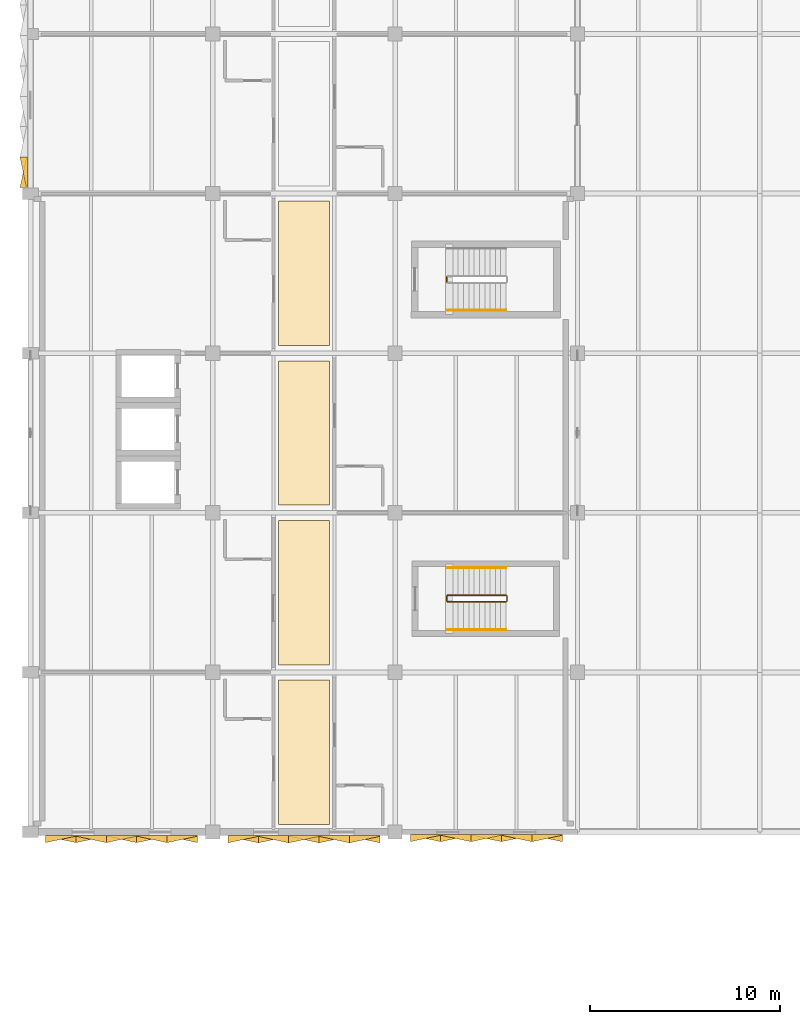
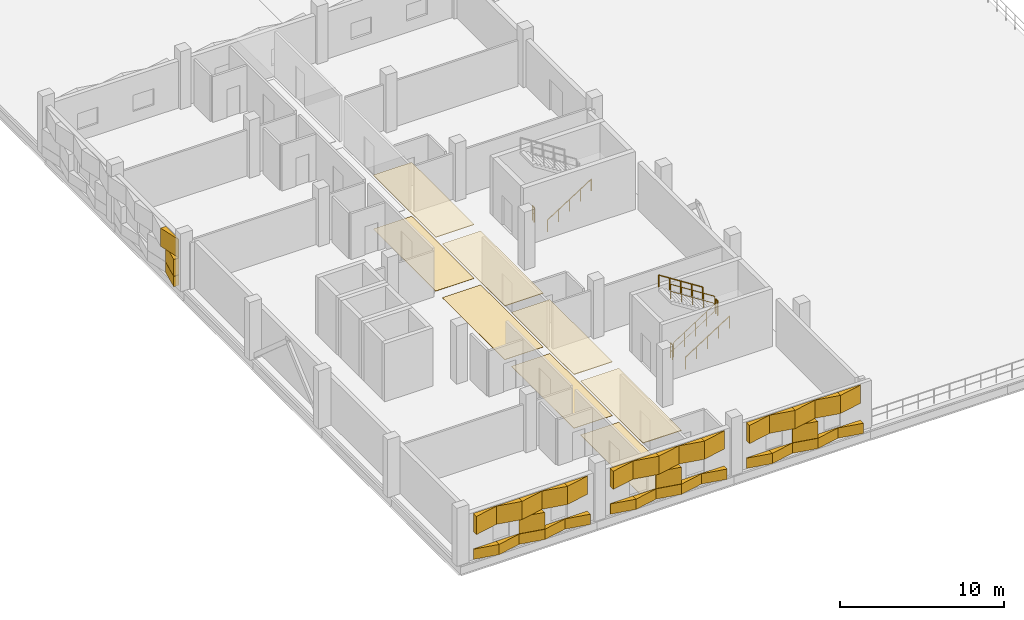
# One storey, part 69 of 86: 44 coverings, 8 railings.
"""IFC4 building model written with IfcOpenShell, lengths in metres."""

from ifc_helpers import new_model, si_unit, direction, frame, origin, origin_2d, place, context, subcontext, project, spatial, polyline, circle, outline, extrude, material, layer, layer_set, type_object, element, save


model = new_model("IFC4")

# Units and contexts
model_context = context("Model", 3, precision=1e-05, world=origin(), true_north=direction((0.0, 1.0)))
body_context = subcontext(model_context, "Body", "Model", "MODEL_VIEW")
ifc_project = project(units=[si_unit("LENGTHUNIT", "METRE"), si_unit("AREAUNIT", "SQUARE_METRE"), si_unit("VOLUMEUNIT", "CUBIC_METRE"), si_unit("PLANEANGLEUNIT", "RADIAN"), si_unit("MASSUNIT", "GRAM", prefix="KILO")], contexts=[model_context])

# Site, building, storey
site_placement = place(None, origin())
site = spatial("IfcSite", under=ifc_project, at=site_placement, CompositionType="ELEMENT")
building_placement = place(site_placement, origin())
building = spatial("IfcBuilding", under=site, at=building_placement, Name="Oolite Switchyard Hospital", CompositionType="ELEMENT")
storey_placement = place(building_placement, frame((0.0, 0.0, 13.5)))
storey = spatial("IfcBuildingStorey", under=building, at=storey_placement, Name="L03", CompositionType="ELEMENT", Elevation=13.5)

# Coverings
ifc_material_1 = material(Name="Hygienic washable mineral-fibre acoustic ceiling")
ifc_layer_1 = layer(ifc_material_1, 0.0400390625)
ifc_layer_set_1 = layer_set([ifc_layer_1], Name="COV-CEIL-AC60")
covering_type_1 = type_object("IfcCoveringType", Name="COV-CEIL-AC60", PredefinedType="CEILING", material=ifc_layer_set_1)
covering_1_placement = place(storey_placement, frame((0.0, 0.0, 3.985107421875)))
element("IfcCovering", 1, at=covering_1_placement, inside=storey, type_object=covering_type_1, Name="L03 West Acute Medical Ward Corridor Ceiling 1", PredefinedType="CEILING", context=body_context, shape_type="SweptSolid", body=[
    extrude(outline(polyline([(13.050048828125, 34.0), (15.75, 34.0), (15.75, 41.60009765625), (13.050048828125, 41.60009765625), (13.050048828125, 34.0)])), origin(), (0.0, 0.0, 1.0), 0.039794921875),
])
covering_2_placement = place(storey_placement, frame((0.0, 0.0, 3.985107421875)))
element("IfcCovering", 2, at=covering_2_placement, inside=storey, type_object=covering_type_1, Name="L03 West Acute Medical Ward Corridor Ceiling 2", PredefinedType="CEILING", context=body_context, shape_type="SweptSolid", body=[
    extrude(outline(polyline([(13.050048828125, 42.39990234375), (15.75, 42.39990234375), (15.75, 50.0), (13.050048828125, 50.0), (13.050048828125, 42.39990234375)])), origin(), (0.0, 0.0, 1.0), 0.039794921875),
])
covering_3_placement = place(storey_placement, frame((0.0, 0.0, 3.985107421875)))
element("IfcCovering", 3, at=covering_3_placement, inside=storey, type_object=covering_type_1, Name="L03 West Acute Medical Ward Corridor Ceiling 3", PredefinedType="CEILING", context=body_context, shape_type="SweptSolid", body=[
    extrude(outline(polyline([(13.050048828125, 50.800048828125), (15.75, 50.800048828125), (15.75, 58.39990234375), (13.050048828125, 58.39990234375), (13.050048828125, 50.800048828125)])), origin(), (0.0, 0.0, 1.0), 0.039794921875),
])
covering_4_placement = place(storey_placement, frame((0.0, 0.0, 3.985107421875)))
element("IfcCovering", 4, at=covering_4_placement, inside=storey, type_object=covering_type_1, Name="L03 West Acute Medical Ward Corridor Ceiling 4", PredefinedType="CEILING", context=body_context, shape_type="SweptSolid", body=[
    extrude(outline(polyline([(13.050048828125, 59.199951171875), (15.75, 59.199951171875), (15.75, 66.800048828125), (13.050048828125, 66.800048828125), (13.050048828125, 59.199951171875)])), origin(), (0.0, 0.0, 1.0), 0.039794921875),
])
ifc_material_2 = material(Name="Precast oolitic limestone architectural concrete C40/50", Category="masonry")
covering_type_2 = type_object("IfcCoveringType", Name="COV-CHEV-WARM", PredefinedType="CLADDING", material=ifc_material_2)
covering_5_placement = place(storey_placement, frame((8.800048828125, 33.419921875, 0.050048828125), z_axis=(0.0, 0.0, 1.0), x_axis=(-1.0, 0.0, 0.0)))
element("IfcCovering", 5, at=covering_5_placement, inside=storey, type_object=covering_type_2, Name="L03 Chevron Precast Oolite Panel 1", PredefinedType="CLADDING", context=body_context, shape_type="SweptSolid", body=[
    extrude(outline(polyline([(0.0, 0.0), (1.60009765625, 0.0), (1.60009765625, 0.044921875), (0.0, 0.385009765625), (0.0, 0.0)])), origin(), (0.0, 0.0, 1.0), 0.760009765625),
])
covering_6_placement = place(storey_placement, frame((8.800048828125, 33.419921875, 2.090087890625), z_axis=(0.0, 0.0, 1.0), x_axis=(-1.0, 0.0, 0.0)))
element("IfcCovering", 6, at=covering_6_placement, inside=storey, type_object=covering_type_2, Name="L03 Chevron Precast Oolite Panel 2", PredefinedType="CLADDING", context=body_context, shape_type="SweptSolid", body=[
    extrude(outline(polyline([(0.0, 0.0), (1.60009765625, 0.0), (1.60009765625, 0.385009765625), (0.0, 0.044921875), (0.0, 0.0)])), origin(), (0.0, 0.0, 1.0), 1.349853515625),
])
covering_7_placement = place(storey_placement, frame((7.199951171875, 33.419921875, 0.050048828125), z_axis=(0.0, 0.0, 1.0), x_axis=(-1.0, 0.0, 0.0)))
element("IfcCovering", 7, at=covering_7_placement, inside=storey, type_object=covering_type_2, Name="L03 Chevron Precast Oolite Panel 3", PredefinedType="CLADDING", context=body_context, shape_type="SweptSolid", body=[
    extrude(outline(polyline([(0.0, 0.0), (1.599853515625, 0.0), (1.599853515625, 0.385009765625), (0.0, 0.044921875), (0.0, 0.0)])), origin(), (0.0, 0.0, 1.0), 0.760009765625),
])
covering_8_placement = place(storey_placement, frame((7.199951171875, 33.419921875, 2.090087890625), z_axis=(0.0, 0.0, 1.0), x_axis=(-1.0, 0.0, 0.0)))
element("IfcCovering", 8, at=covering_8_placement, inside=storey, type_object=covering_type_2, Name="L03 Chevron Precast Oolite Panel 4", PredefinedType="CLADDING", context=body_context, shape_type="SweptSolid", body=[
    extrude(outline(polyline([(0.0, 0.0), (1.599853515625, 0.0), (1.599853515625, 0.044921875), (0.0, 0.385009765625), (0.0, 0.0)])), origin(), (0.0, 0.0, 1.0), 1.349853515625),
])
covering_9_placement = place(storey_placement, frame((5.60009765625, 33.419921875, 0.050048828125), z_axis=(0.0, 0.0, 1.0), x_axis=(-1.0, 0.0, 0.0)))
element("IfcCovering", 9, at=covering_9_placement, inside=storey, type_object=covering_type_2, Name="L03 Chevron Precast Oolite Panel 5", PredefinedType="CLADDING", context=body_context, shape_type="SweptSolid", body=[
    extrude(outline(polyline([(0.0, 0.0), (1.60009765625, 0.0), (1.60009765625, 0.044921875), (0.0, 0.385009765625), (0.0, 0.0)])), origin(), (0.0, 0.0, 1.0), 0.760009765625),
])
covering_10_placement = place(storey_placement, frame((5.60009765625, 33.419921875, 2.090087890625), z_axis=(0.0, 0.0, 1.0), x_axis=(-1.0, 0.0, 0.0)))
element("IfcCovering", 10, at=covering_10_placement, inside=storey, type_object=covering_type_2, Name="L03 Chevron Precast Oolite Panel 6", PredefinedType="CLADDING", context=body_context, shape_type="SweptSolid", body=[
    extrude(outline(polyline([(0.0, 0.0), (1.60009765625, 0.0), (1.60009765625, 0.385009765625), (0.0, 0.044921875), (0.0, 0.0)])), origin(), (0.0, 0.0, 1.0), 1.349853515625),
])
covering_11_placement = place(storey_placement, frame((5.60009765625, 33.419921875, 0.830078125), z_axis=(0.0, 0.0, 1.0), x_axis=(-1.0, 0.0, 0.0)))
element("IfcCovering", 11, at=covering_11_placement, inside=storey, type_object=covering_type_2, Name="L03 Chevron Precast Oolite Panel 7", PredefinedType="CLADDING", context=body_context, shape_type="SweptSolid", body=[
    extrude(outline(polyline([(0.0, 0.0), (1.60009765625, 0.0), (1.60009765625, 0.044921875), (0.0, 0.385009765625), (0.0, 0.0)])), origin(), (0.0, 0.0, 1.0), 1.239990234375),
])
covering_12_placement = place(storey_placement, frame((4.0, 33.419921875, 0.050048828125), z_axis=(0.0, 0.0, 1.0), x_axis=(-1.0, 0.0, 0.0)))
element("IfcCovering", 12, at=covering_12_placement, inside=storey, type_object=covering_type_2, Name="L03 Chevron Precast Oolite Panel 8", PredefinedType="CLADDING", context=body_context, shape_type="SweptSolid", body=[
    extrude(outline(polyline([(0.0, 0.0), (1.60009765625, 0.0), (1.60009765625, 0.385009765625), (0.0, 0.044921875), (0.0, 0.0)])), origin(), (0.0, 0.0, 1.0), 0.760009765625),
])
covering_13_placement = place(storey_placement, frame((4.0, 33.419921875, 2.090087890625), z_axis=(0.0, 0.0, 1.0), x_axis=(-1.0, 0.0, 0.0)))
element("IfcCovering", 13, at=covering_13_placement, inside=storey, type_object=covering_type_2, Name="L03 Chevron Precast Oolite Panel 9", PredefinedType="CLADDING", context=body_context, shape_type="SweptSolid", body=[
    extrude(outline(polyline([(0.0, 0.0), (1.60009765625, 0.0), (1.60009765625, 0.044921875), (0.0, 0.385009765625), (0.0, 0.0)])), origin(), (0.0, 0.0, 1.0), 1.349853515625),
])
covering_14_placement = place(storey_placement, frame((2.39990234375, 33.419921875, 0.050048828125), z_axis=(0.0, 0.0, 1.0), x_axis=(-1.0, 0.0, 0.0)))
element("IfcCovering", 14, at=covering_14_placement, inside=storey, type_object=covering_type_2, Name="L03 Chevron Precast Oolite Panel 10", PredefinedType="CLADDING", context=body_context, shape_type="SweptSolid", body=[
    extrude(outline(polyline([(0.0, 0.0), (1.599853515625, 0.0), (1.599853515625, 0.044921875), (0.0, 0.385009765625), (0.0, 0.0)])), origin(), (0.0, 0.0, 1.0), 0.760009765625),
])
covering_15_placement = place(storey_placement, frame((2.39990234375, 33.419921875, 2.090087890625), z_axis=(0.0, 0.0, 1.0), x_axis=(-1.0, 0.0, 0.0)))
element("IfcCovering", 15, at=covering_15_placement, inside=storey, type_object=covering_type_2, Name="L03 Chevron Precast Oolite Panel 11", PredefinedType="CLADDING", context=body_context, shape_type="SweptSolid", body=[
    extrude(outline(polyline([(0.0, 0.0), (1.599853515625, 0.0), (1.599853515625, 0.385009765625), (0.0, 0.044921875), (0.0, 0.0)])), origin(), (0.0, 0.0, 1.0), 1.349853515625),
])
covering_16_placement = place(storey_placement, frame((18.39990234375, 33.409912109375, 0.050048828125), z_axis=(0.0, 0.0, 1.0), x_axis=(-1.0, 0.0, 0.0)))
element("IfcCovering", 16, at=covering_16_placement, inside=storey, type_object=covering_type_2, Name="L03 Chevron Precast Oolite Panel 12", PredefinedType="CLADDING", context=body_context, shape_type="SweptSolid", body=[
    extrude(outline(polyline([(0.0, 0.0), (1.599853515625, 0.0), (1.599853515625, 0.044921875), (0.0, 0.385009765625), (0.0, 0.0)])), origin(), (0.0, 0.0, 1.0), 0.760009765625),
])
covering_17_placement = place(storey_placement, frame((18.39990234375, 33.409912109375, 2.090087890625), z_axis=(0.0, 0.0, 1.0), x_axis=(-1.0, 0.0, 0.0)))
element("IfcCovering", 17, at=covering_17_placement, inside=storey, type_object=covering_type_2, Name="L03 Chevron Precast Oolite Panel 13", PredefinedType="CLADDING", context=body_context, shape_type="SweptSolid", body=[
    extrude(outline(polyline([(0.0, 0.0), (1.599853515625, 0.0), (1.599853515625, 0.385009765625), (0.0, 0.044921875), (0.0, 0.0)])), origin(), (0.0, 0.0, 1.0), 1.349853515625),
])
covering_18_placement = place(storey_placement, frame((16.800048828125, 33.409912109375, 0.050048828125), z_axis=(0.0, 0.0, 1.0), x_axis=(-1.0, 0.0, 0.0)))
element("IfcCovering", 18, at=covering_18_placement, inside=storey, type_object=covering_type_2, Name="L03 Chevron Precast Oolite Panel 14", PredefinedType="CLADDING", context=body_context, shape_type="SweptSolid", body=[
    extrude(outline(polyline([(0.0, 0.0), (1.60009765625, 0.0), (1.60009765625, 0.385009765625), (0.0, 0.044921875), (0.0, 0.0)])), origin(), (0.0, 0.0, 1.0), 0.760009765625),
])
covering_19_placement = place(storey_placement, frame((16.800048828125, 33.409912109375, 2.090087890625), z_axis=(0.0, 0.0, 1.0), x_axis=(-1.0, 0.0, 0.0)))
element("IfcCovering", 19, at=covering_19_placement, inside=storey, type_object=covering_type_2, Name="L03 Chevron Precast Oolite Panel 15", PredefinedType="CLADDING", context=body_context, shape_type="SweptSolid", body=[
    extrude(outline(polyline([(0.0, 0.0), (1.60009765625, 0.0), (1.60009765625, 0.044921875), (0.0, 0.385009765625), (0.0, 0.0)])), origin(), (0.0, 0.0, 1.0), 1.349853515625),
])
covering_20_placement = place(storey_placement, frame((15.199951171875, 33.409912109375, 0.050048828125), z_axis=(0.0, 0.0, 1.0), x_axis=(-1.0, 0.0, 0.0)))
element("IfcCovering", 20, at=covering_20_placement, inside=storey, type_object=covering_type_2, Name="L03 Chevron Precast Oolite Panel 16", PredefinedType="CLADDING", context=body_context, shape_type="SweptSolid", body=[
    extrude(outline(polyline([(0.0, 0.0), (1.599853515625, 0.0), (1.599853515625, 0.044921875), (0.0, 0.385009765625), (0.0, 0.0)])), origin(), (0.0, 0.0, 1.0), 0.760009765625),
])
covering_21_placement = place(storey_placement, frame((15.199951171875, 33.409912109375, 2.090087890625), z_axis=(0.0, 0.0, 1.0), x_axis=(-1.0, 0.0, 0.0)))
element("IfcCovering", 21, at=covering_21_placement, inside=storey, type_object=covering_type_2, Name="L03 Chevron Precast Oolite Panel 17", PredefinedType="CLADDING", context=body_context, shape_type="SweptSolid", body=[
    extrude(outline(polyline([(0.0, 0.0), (1.599853515625, 0.0), (1.599853515625, 0.385009765625), (0.0, 0.044921875), (0.0, 0.0)])), origin(), (0.0, 0.0, 1.0), 1.349853515625),
])
covering_22_placement = place(storey_placement, frame((15.199951171875, 33.409912109375, 0.830078125), z_axis=(0.0, 0.0, 1.0), x_axis=(-1.0, 0.0, 0.0)))
element("IfcCovering", 22, at=covering_22_placement, inside=storey, type_object=covering_type_2, Name="L03 Chevron Precast Oolite Panel 18", PredefinedType="CLADDING", context=body_context, shape_type="SweptSolid", body=[
    extrude(outline(polyline([(0.0, 0.0), (1.599853515625, 0.0), (1.599853515625, 0.044921875), (0.0, 0.385009765625), (0.0, 0.0)])), origin(), (0.0, 0.0, 1.0), 1.239990234375),
])
covering_23_placement = place(storey_placement, frame((13.60009765625, 33.409912109375, 0.050048828125), z_axis=(0.0, 0.0, 1.0), x_axis=(-1.0, 0.0, 0.0)))
element("IfcCovering", 23, at=covering_23_placement, inside=storey, type_object=covering_type_2, Name="L03 Chevron Precast Oolite Panel 19", PredefinedType="CLADDING", context=body_context, shape_type="SweptSolid", body=[
    extrude(outline(polyline([(0.0, 0.0), (1.60009765625, 0.0), (1.60009765625, 0.385009765625), (0.0, 0.044921875), (0.0, 0.0)])), origin(), (0.0, 0.0, 1.0), 0.760009765625),
])
covering_24_placement = place(storey_placement, frame((13.60009765625, 33.409912109375, 2.090087890625), z_axis=(0.0, 0.0, 1.0), x_axis=(-1.0, 0.0, 0.0)))
element("IfcCovering", 24, at=covering_24_placement, inside=storey, type_object=covering_type_2, Name="L03 Chevron Precast Oolite Panel 20", PredefinedType="CLADDING", context=body_context, shape_type="SweptSolid", body=[
    extrude(outline(polyline([(0.0, 0.0), (1.60009765625, 0.0), (1.60009765625, 0.044921875), (0.0, 0.385009765625), (0.0, 0.0)])), origin(), (0.0, 0.0, 1.0), 1.349853515625),
])
covering_25_placement = place(storey_placement, frame((12.0, 33.409912109375, 0.050048828125), z_axis=(0.0, 0.0, 1.0), x_axis=(-1.0, 0.0, 0.0)))
element("IfcCovering", 25, at=covering_25_placement, inside=storey, type_object=covering_type_2, Name="L03 Chevron Precast Oolite Panel 21", PredefinedType="CLADDING", context=body_context, shape_type="SweptSolid", body=[
    extrude(outline(polyline([(0.0, 0.0), (1.60009765625, 0.0), (1.60009765625, 0.044921875), (0.0, 0.385009765625), (0.0, 0.0)])), origin(), (0.0, 0.0, 1.0), 0.760009765625),
])
covering_26_placement = place(storey_placement, frame((12.0, 33.409912109375, 2.090087890625), z_axis=(0.0, 0.0, 1.0), x_axis=(-1.0, 0.0, 0.0)))
element("IfcCovering", 26, at=covering_26_placement, inside=storey, type_object=covering_type_2, Name="L03 Chevron Precast Oolite Panel 22", PredefinedType="CLADDING", context=body_context, shape_type="SweptSolid", body=[
    extrude(outline(polyline([(0.0, 0.0), (1.60009765625, 0.0), (1.60009765625, 0.385009765625), (0.0, 0.044921875), (0.0, 0.0)])), origin(), (0.0, 0.0, 1.0), 1.349853515625),
])
covering_27_placement = place(storey_placement, frame((28.0, 33.469970703125, 0.050048828125), z_axis=(0.0, 0.0, 1.0), x_axis=(-1.0, 0.0, 0.0)))
element("IfcCovering", 27, at=covering_27_placement, inside=storey, type_object=covering_type_2, Name="L03 Chevron Precast Oolite Panel 23", PredefinedType="CLADDING", context=body_context, shape_type="SweptSolid", body=[
    extrude(outline(polyline([(0.0, 0.0), (1.60009765625, 0.0), (1.60009765625, 0.044921875), (0.0, 0.385009765625), (0.0, 0.0)])), origin(), (0.0, 0.0, 1.0), 0.760009765625),
])
covering_28_placement = place(storey_placement, frame((28.0, 33.469970703125, 2.090087890625), z_axis=(0.0, 0.0, 1.0), x_axis=(-1.0, 0.0, 0.0)))
element("IfcCovering", 28, at=covering_28_placement, inside=storey, type_object=covering_type_2, Name="L03 Chevron Precast Oolite Panel 24", PredefinedType="CLADDING", context=body_context, shape_type="SweptSolid", body=[
    extrude(outline(polyline([(0.0, 0.0), (1.60009765625, 0.0), (1.60009765625, 0.385009765625), (0.0, 0.044921875), (0.0, 0.0)])), origin(), (0.0, 0.0, 1.0), 1.349853515625),
])
covering_29_placement = place(storey_placement, frame((26.39990234375, 33.469970703125, 0.050048828125), z_axis=(0.0, 0.0, 1.0), x_axis=(-1.0, 0.0, 0.0)))
element("IfcCovering", 29, at=covering_29_placement, inside=storey, type_object=covering_type_2, Name="L03 Chevron Precast Oolite Panel 25", PredefinedType="CLADDING", context=body_context, shape_type="SweptSolid", body=[
    extrude(outline(polyline([(0.0, 0.0), (1.599853515625, 0.0), (1.599853515625, 0.385009765625), (0.0, 0.044921875), (0.0, 0.0)])), origin(), (0.0, 0.0, 1.0), 0.760009765625),
])
covering_30_placement = place(storey_placement, frame((26.39990234375, 33.469970703125, 2.090087890625), z_axis=(0.0, 0.0, 1.0), x_axis=(-1.0, 0.0, 0.0)))
element("IfcCovering", 30, at=covering_30_placement, inside=storey, type_object=covering_type_2, Name="L03 Chevron Precast Oolite Panel 26", PredefinedType="CLADDING", context=body_context, shape_type="SweptSolid", body=[
    extrude(outline(polyline([(0.0, 0.0), (1.599853515625, 0.0), (1.599853515625, 0.044921875), (0.0, 0.385009765625), (0.0, 0.0)])), origin(), (0.0, 0.0, 1.0), 1.349853515625),
])
covering_31_placement = place(storey_placement, frame((24.800048828125, 33.469970703125, 0.050048828125), z_axis=(0.0, 0.0, 1.0), x_axis=(-1.0, 0.0, 0.0)))
element("IfcCovering", 31, at=covering_31_placement, inside=storey, type_object=covering_type_2, Name="L03 Chevron Precast Oolite Panel 27", PredefinedType="CLADDING", context=body_context, shape_type="SweptSolid", body=[
    extrude(outline(polyline([(0.0, 0.0), (1.60009765625, 0.0), (1.60009765625, 0.044921875), (0.0, 0.385009765625), (0.0, 0.0)])), origin(), (0.0, 0.0, 1.0), 0.760009765625),
])
covering_32_placement = place(storey_placement, frame((24.800048828125, 33.469970703125, 2.090087890625), z_axis=(0.0, 0.0, 1.0), x_axis=(-1.0, 0.0, 0.0)))
element("IfcCovering", 32, at=covering_32_placement, inside=storey, type_object=covering_type_2, Name="L03 Chevron Precast Oolite Panel 28", PredefinedType="CLADDING", context=body_context, shape_type="SweptSolid", body=[
    extrude(outline(polyline([(0.0, 0.0), (1.60009765625, 0.0), (1.60009765625, 0.385009765625), (0.0, 0.044921875), (0.0, 0.0)])), origin(), (0.0, 0.0, 1.0), 1.349853515625),
])
covering_33_placement = place(storey_placement, frame((24.800048828125, 33.469970703125, 0.830078125), z_axis=(0.0, 0.0, 1.0), x_axis=(-1.0, 0.0, 0.0)))
element("IfcCovering", 33, at=covering_33_placement, inside=storey, type_object=covering_type_2, Name="L03 Chevron Precast Oolite Panel 29", PredefinedType="CLADDING", context=body_context, shape_type="SweptSolid", body=[
    extrude(outline(polyline([(0.0, 0.0), (1.60009765625, 0.0), (1.60009765625, 0.044921875), (0.0, 0.385009765625), (0.0, 0.0)])), origin(), (0.0, 0.0, 1.0), 1.239990234375),
])
covering_34_placement = place(storey_placement, frame((23.199951171875, 33.469970703125, 0.050048828125), z_axis=(0.0, 0.0, 1.0), x_axis=(-1.0, 0.0, 0.0)))
element("IfcCovering", 34, at=covering_34_placement, inside=storey, type_object=covering_type_2, Name="L03 Chevron Precast Oolite Panel 30", PredefinedType="CLADDING", context=body_context, shape_type="SweptSolid", body=[
    extrude(outline(polyline([(0.0, 0.0), (1.599853515625, 0.0), (1.599853515625, 0.385009765625), (0.0, 0.044921875), (0.0, 0.0)])), origin(), (0.0, 0.0, 1.0), 0.760009765625),
])
covering_35_placement = place(storey_placement, frame((23.199951171875, 33.469970703125, 2.090087890625), z_axis=(0.0, 0.0, 1.0), x_axis=(-1.0, 0.0, 0.0)))
element("IfcCovering", 35, at=covering_35_placement, inside=storey, type_object=covering_type_2, Name="L03 Chevron Precast Oolite Panel 31", PredefinedType="CLADDING", context=body_context, shape_type="SweptSolid", body=[
    extrude(outline(polyline([(0.0, 0.0), (1.599853515625, 0.0), (1.599853515625, 0.044921875), (0.0, 0.385009765625), (0.0, 0.0)])), origin(), (0.0, 0.0, 1.0), 1.349853515625),
])
covering_36_placement = place(storey_placement, frame((21.60009765625, 33.469970703125, 0.050048828125), z_axis=(0.0, 0.0, 1.0), x_axis=(-1.0, 0.0, 0.0)))
element("IfcCovering", 36, at=covering_36_placement, inside=storey, type_object=covering_type_2, Name="L03 Chevron Precast Oolite Panel 32", PredefinedType="CLADDING", context=body_context, shape_type="SweptSolid", body=[
    extrude(outline(polyline([(0.0, 0.0), (1.60009765625, 0.0), (1.60009765625, 0.044921875), (0.0, 0.385009765625), (0.0, 0.0)])), origin(), (0.0, 0.0, 1.0), 0.760009765625),
])
covering_37_placement = place(storey_placement, frame((21.60009765625, 33.469970703125, 2.090087890625), z_axis=(0.0, 0.0, 1.0), x_axis=(-1.0, 0.0, 0.0)))
element("IfcCovering", 37, at=covering_37_placement, inside=storey, type_object=covering_type_2, Name="L03 Chevron Precast Oolite Panel 33", PredefinedType="CLADDING", context=body_context, shape_type="SweptSolid", body=[
    extrude(outline(polyline([(0.0, 0.0), (1.60009765625, 0.0), (1.60009765625, 0.385009765625), (0.0, 0.044921875), (0.0, 0.0)])), origin(), (0.0, 0.0, 1.0), 1.349853515625),
])
covering_38_placement = place(storey_placement, frame((-0.159912109375, 67.52001953125, 0.050048828125), z_axis=(0.0, 0.0, 1.0), x_axis=(0.0, 1.0, 0.0)))
element("IfcCovering", 38, at=covering_38_placement, inside=storey, type_object=covering_type_2, Name="L03 Chevron Precast Oolite Panel 342", PredefinedType="CLADDING", context=body_context, shape_type="SweptSolid", body=[
    extrude(outline(polyline([(0.0, 0.0), (1.60009765625, 0.0), (1.60009765625, 0.044921875), (0.0, 0.385009765625), (0.0, 0.0)])), origin(), (0.0, 0.0, 1.0), 0.760009765625),
])
covering_39_placement = place(storey_placement, frame((-0.159912109375, 67.52001953125, 2.090087890625), z_axis=(0.0, 0.0, 1.0), x_axis=(0.0, 1.0, 0.0)))
element("IfcCovering", 39, at=covering_39_placement, inside=storey, type_object=covering_type_2, Name="L03 Chevron Precast Oolite Panel 343", PredefinedType="CLADDING", context=body_context, shape_type="SweptSolid", body=[
    extrude(outline(polyline([(0.0, 0.0), (1.60009765625, 0.0), (1.60009765625, 0.385009765625), (0.0, 0.044921875), (0.0, 0.0)])), origin(), (0.0, 0.0, 1.0), 1.349853515625),
])
covering_40_placement = place(storey_placement, frame((-0.159912109375, 67.52001953125, 0.830078125), z_axis=(0.0, 0.0, 1.0), x_axis=(0.0, 1.0, 0.0)))
element("IfcCovering", 40, at=covering_40_placement, inside=storey, type_object=covering_type_2, Name="L03 Chevron Precast Oolite Panel 344", PredefinedType="CLADDING", context=body_context, shape_type="SweptSolid", body=[
    extrude(outline(polyline([(0.0, 0.0), (1.60009765625, 0.0), (1.60009765625, 0.044921875), (0.0, 0.385009765625), (0.0, 0.0)])), origin(), (0.0, 0.0, 1.0), 1.239990234375),
])
ifc_material_3 = material(Name="Epoxy terrazzo seamless clinical flooring")
ifc_layer_2 = layer(ifc_material_3, 0.02001953125)
ifc_layer_set_2 = layer_set([ifc_layer_2], Name="COV-FLR-TER20")
covering_type_3 = type_object("IfcCoveringType", Name="COV-FLR-TER20", PredefinedType="FLOORING", material=ifc_layer_set_2)
covering_41_placement = place(storey_placement, origin())
element("IfcCovering", 41, at=covering_41_placement, inside=storey, type_object=covering_type_3, Name="L03 West Acute Medical Ward Corridor Flooring 1", PredefinedType="FLOORING", context=body_context, shape_type="SweptSolid", body=[
    extrude(outline(polyline([(13.050048828125, 34.0), (15.75, 34.0), (15.75, 41.60009765625), (13.050048828125, 41.60009765625), (13.050048828125, 34.0)])), origin(), (0.0, 0.0, 1.0), 0.02001953125),
])
covering_42_placement = place(storey_placement, origin())
element("IfcCovering", 42, at=covering_42_placement, inside=storey, type_object=covering_type_3, Name="L03 West Acute Medical Ward Corridor Flooring 2", PredefinedType="FLOORING", context=body_context, shape_type="SweptSolid", body=[
    extrude(outline(polyline([(13.050048828125, 42.39990234375), (15.75, 42.39990234375), (15.75, 50.0), (13.050048828125, 50.0), (13.050048828125, 42.39990234375)])), origin(), (0.0, 0.0, 1.0), 0.02001953125),
])
covering_43_placement = place(storey_placement, origin())
element("IfcCovering", 43, at=covering_43_placement, inside=storey, type_object=covering_type_3, Name="L03 West Acute Medical Ward Corridor Flooring 3", PredefinedType="FLOORING", context=body_context, shape_type="SweptSolid", body=[
    extrude(outline(polyline([(13.050048828125, 50.800048828125), (15.75, 50.800048828125), (15.75, 58.39990234375), (13.050048828125, 58.39990234375), (13.050048828125, 50.800048828125)])), origin(), (0.0, 0.0, 1.0), 0.02001953125),
])
covering_44_placement = place(storey_placement, origin())
element("IfcCovering", 44, at=covering_44_placement, inside=storey, type_object=covering_type_3, Name="L03 West Acute Medical Ward Corridor Flooring 4", PredefinedType="FLOORING", context=body_context, shape_type="SweptSolid", body=[
    extrude(outline(polyline([(13.050048828125, 59.199951171875), (15.75, 59.199951171875), (15.75, 66.800048828125), (13.050048828125, 66.800048828125), (13.050048828125, 59.199951171875)])), origin(), (0.0, 0.0, 1.0), 0.02001953125),
])

# Railings
ifc_material_4 = material(Name="Galvanized painted architectural steel handrail", Category="steel")
railing_type_1 = type_object("IfcRailingType", Name="RL-STAIR-GRD", PredefinedType="GUARDRAIL", material=ifc_material_4)
railing_1_placement = place(storey_placement, frame((21.9599609375, 45.7099609375, 0.17919921875)))
element("IfcRailing", 45, at=railing_1_placement, inside=storey, type_object=railing_type_1, Name="L03 ST-01 stair guard 1", PredefinedType="GUARDRAIL", context=body_context, shape_type="SweptSolid", body=[
    extrude(circle(Radius=0.02392578125, at=origin_2d()), frame((0.0, 0.0, 1.076171875), z_axis=(0.842339298311, 0.0, 0.538947591627), x_axis=(0.0, 1.0, 0.0)), (0.0, 0.0, 1.0), 3.656494140625),
    extrude(circle(Radius=0.015625, at=origin_2d()), frame((0.0, 0.0, 0.550048828125), z_axis=(0.842339298311, 0.0, 0.538947591627), x_axis=(0.0, 1.0, 0.0)), (0.0, 0.0, 1.0), 3.656494140625),
    extrude(circle(Radius=0.02099609375, at=origin_2d()), origin(), (0.0, 0.0, 1.0), 1.052001953125),
    extrude(circle(Radius=0.02099609375, at=origin_2d()), frame((0.77001953125, 0.0, 0.49267578125)), (0.0, 0.0, 1.0), 1.052001953125),
    extrude(circle(Radius=0.02099609375, at=origin_2d()), frame((1.5400390625, 0.0, 0.9853515625)), (0.0, 0.0, 1.0), 1.052001953125),
    extrude(circle(Radius=0.02099609375, at=origin_2d()), frame((2.31005859375, 0.0, 1.47802734375)), (0.0, 0.0, 1.0), 1.052001953125),
    extrude(circle(Radius=0.02099609375, at=origin_2d()), frame((3.080078125, 0.0, 1.970703125)), (0.0, 0.0, 1.0), 1.052001953125),
])
railing_2_placement = place(storey_placement, frame((25.090087890625, 45.760009765625, 2.14990234375)))
element("IfcRailing", 46, at=railing_2_placement, inside=storey, type_object=railing_type_1, Name="L03 ST-01 stair guard 2", PredefinedType="GUARDRAIL", context=body_context, shape_type="SweptSolid", body=[
    extrude(circle(Radius=0.02392578125, at=origin_2d()), frame((0.0, 0.0, 1.076171875), z_axis=(0.0, 1.0, 0.0), x_axis=(-1.0, 0.0, 0.0)), (0.0, 0.0, 1.0), 0.239990234375),
    extrude(circle(Radius=0.015625, at=origin_2d()), frame((0.0, 0.0, 0.550048828125), z_axis=(0.0, 1.0, 0.0), x_axis=(-1.0, 0.0, 0.0)), (0.0, 0.0, 1.0), 0.239990234375),
    extrude(circle(Radius=0.02099609375, at=origin_2d()), origin(), (0.0, 0.0, 1.0), 1.052001953125),
    extrude(circle(Radius=0.02099609375, at=origin_2d()), frame((0.0, 0.239990234375, 0.0)), (0.0, 0.0, 1.0), 1.052001953125),
])
railing_3_placement = place(storey_placement, frame((25.0400390625, 46.050048828125, 2.3291015625)))
element("IfcRailing", 47, at=railing_3_placement, inside=storey, type_object=railing_type_1, Name="L03 ST-01 stair guard 3", PredefinedType="GUARDRAIL", context=body_context, shape_type="SweptSolid", body=[
    extrude(circle(Radius=0.02392578125, at=origin_2d()), frame((0.0, 0.0, 1.076171875), z_axis=(-0.842308987159, 0.0, 0.53899496301), x_axis=(0.0, -1.0, 0.0)), (0.0, 0.0, 1.0), 3.65673828125),
    extrude(circle(Radius=0.015625, at=origin_2d()), frame((0.0, 0.0, 0.550048828125), z_axis=(-0.842308987159, 0.0, 0.53899496301), x_axis=(0.0, -1.0, 0.0)), (0.0, 0.0, 1.0), 3.65673828125),
    extrude(circle(Radius=0.02099609375, at=origin_2d()), origin(), (0.0, 0.0, 1.0), 1.052001953125),
    extrude(circle(Radius=0.02099609375, at=origin_2d()), frame((-0.77001953125, 0.0, 0.49267578125)), (0.0, 0.0, 1.0), 1.052001953125),
    extrude(circle(Radius=0.02099609375, at=origin_2d()), frame((-1.5400390625, 0.0, 0.9853515625)), (0.0, 0.0, 1.0), 1.052001953125),
    extrude(circle(Radius=0.02099609375, at=origin_2d()), frame((-2.31005859375, 0.0, 1.478271484375)), (0.0, 0.0, 1.0), 1.052001953125),
    extrude(circle(Radius=0.02099609375, at=origin_2d()), frame((-3.080078125, 0.0, 1.970947265625)), (0.0, 0.0, 1.0), 1.052001953125),
])
for number, where, name in (
    (48, (21.909912109375, 45.760009765625, 0.0), "L03 ST-01 stair guard 4"),
    (49, (21.909912109375, 62.56005859375, 0.0), "L03 ST-02 stair guard 4"),
):
    element("IfcRailing", number, at=place(storey_placement, frame(where)), inside=storey, type_object=railing_type_1, Name=name, PredefinedType="GUARDRAIL", context=body_context, shape_type="SweptSolid", body=[
        extrude(circle(Radius=0.02392578125, at=origin_2d()), frame((0.0, 0.0, 1.076171875), z_axis=(0.0, 1.0, 0.0), x_axis=(-1.0, 0.0, 0.0)), (0.0, 0.0, 1.0), 0.239990234375),
        extrude(circle(Radius=0.015625, at=origin_2d()), frame((0.0, 0.0, 0.550048828125), z_axis=(0.0, 1.0, 0.0), x_axis=(-1.0, 0.0, 0.0)), (0.0, 0.0, 1.0), 0.239990234375),
        extrude(circle(Radius=0.02099609375, at=origin_2d()), origin(), (0.0, 0.0, 1.0), 1.052001953125),
        extrude(circle(Radius=0.02099609375, at=origin_2d()), frame((0.0, 0.239990234375, 0.0)), (0.0, 0.0, 1.0), 1.052001953125),
    ])
railing_type_2 = type_object("IfcRailingType", Name="RL-STAIR-HND", PredefinedType="HANDRAIL", material=ifc_material_4)
railing_4_placement = place(storey_placement, frame((21.9599609375, 44.25, 0.17919921875)))
element("IfcRailing", 50, at=railing_4_placement, inside=storey, type_object=railing_type_2, Name="L03 ST-01 stair handrail 1", PredefinedType="HANDRAIL", context=body_context, shape_type="SweptSolid", body=[
    extrude(circle(Radius=0.02392578125, at=origin_2d()), frame((0.0, 0.0, 0.8759765625), z_axis=(0.842339298311, 0.0, 0.538947591627), x_axis=(0.0, 1.0, 0.0)), (0.0, 0.0, 1.0), 3.656494140625),
    extrude(circle(Radius=0.02099609375, at=origin_2d()), origin(), (0.0, 0.0, 1.0), 0.851806640625),
    extrude(circle(Radius=0.02099609375, at=origin_2d()), frame((0.77001953125, 0.0, 0.49267578125)), (0.0, 0.0, 1.0), 0.851806640625),
    extrude(circle(Radius=0.02099609375, at=origin_2d()), frame((1.5400390625, 0.0, 0.9853515625)), (0.0, 0.0, 1.0), 0.851806640625),
    extrude(circle(Radius=0.02099609375, at=origin_2d()), frame((2.31005859375, 0.0, 1.47802734375)), (0.0, 0.0, 1.0), 0.851806640625),
    extrude(circle(Radius=0.02099609375, at=origin_2d()), frame((3.080078125, 0.0, 1.970703125)), (0.0, 0.0, 1.0), 0.851806640625),
])
railing_5_placement = place(storey_placement, frame((25.0400390625, 47.510009765625, 2.3291015625)))
element("IfcRailing", 51, at=railing_5_placement, inside=storey, type_object=railing_type_2, Name="L03 ST-01 stair handrail 2", PredefinedType="HANDRAIL", context=body_context, shape_type="SweptSolid", body=[
    extrude(circle(Radius=0.02392578125, at=origin_2d()), frame((0.0, 0.0, 0.8759765625), z_axis=(-0.842308987159, 0.0, 0.53899496301), x_axis=(0.0, -1.0, 0.0)), (0.0, 0.0, 1.0), 3.65673828125),
    extrude(circle(Radius=0.02099609375, at=origin_2d()), origin(), (0.0, 0.0, 1.0), 0.851806640625),
    extrude(circle(Radius=0.02099609375, at=origin_2d()), frame((-0.77001953125, 0.0, 0.49267578125)), (0.0, 0.0, 1.0), 0.851806640625),
    extrude(circle(Radius=0.02099609375, at=origin_2d()), frame((-1.5400390625, 0.0, 0.9853515625)), (0.0, 0.0, 1.0), 0.851806640625),
    extrude(circle(Radius=0.02099609375, at=origin_2d()), frame((-2.31005859375, 0.0, 1.478271484375)), (0.0, 0.0, 1.0), 0.851806640625),
    extrude(circle(Radius=0.02099609375, at=origin_2d()), frame((-3.080078125, 0.0, 1.970947265625)), (0.0, 0.0, 1.0), 0.851806640625),
])
railing_6_placement = place(storey_placement, frame((21.9599609375, 61.050048828125, 0.17919921875)))
element("IfcRailing", 52, at=railing_6_placement, inside=storey, type_object=railing_type_2, Name="L03 ST-02 stair handrail 1", PredefinedType="HANDRAIL", context=body_context, shape_type="SweptSolid", body=[
    extrude(circle(Radius=0.02392578125, at=origin_2d()), frame((0.0, 0.0, 0.8759765625), z_axis=(0.842339298311, 0.0, 0.538947591627), x_axis=(0.0, 1.0, 0.0)), (0.0, 0.0, 1.0), 3.656494140625),
    extrude(circle(Radius=0.02099609375, at=origin_2d()), origin(), (0.0, 0.0, 1.0), 0.851806640625),
    extrude(circle(Radius=0.02099609375, at=origin_2d()), frame((0.77001953125, 0.0, 0.49267578125)), (0.0, 0.0, 1.0), 0.851806640625),
    extrude(circle(Radius=0.02099609375, at=origin_2d()), frame((1.5400390625, 0.0, 0.9853515625)), (0.0, 0.0, 1.0), 0.851806640625),
    extrude(circle(Radius=0.02099609375, at=origin_2d()), frame((2.31005859375, 0.0, 1.47802734375)), (0.0, 0.0, 1.0), 0.851806640625),
    extrude(circle(Radius=0.02099609375, at=origin_2d()), frame((3.080078125, 0.0, 1.970703125)), (0.0, 0.0, 1.0), 0.851806640625),
])

save(model, "model.ifc")
